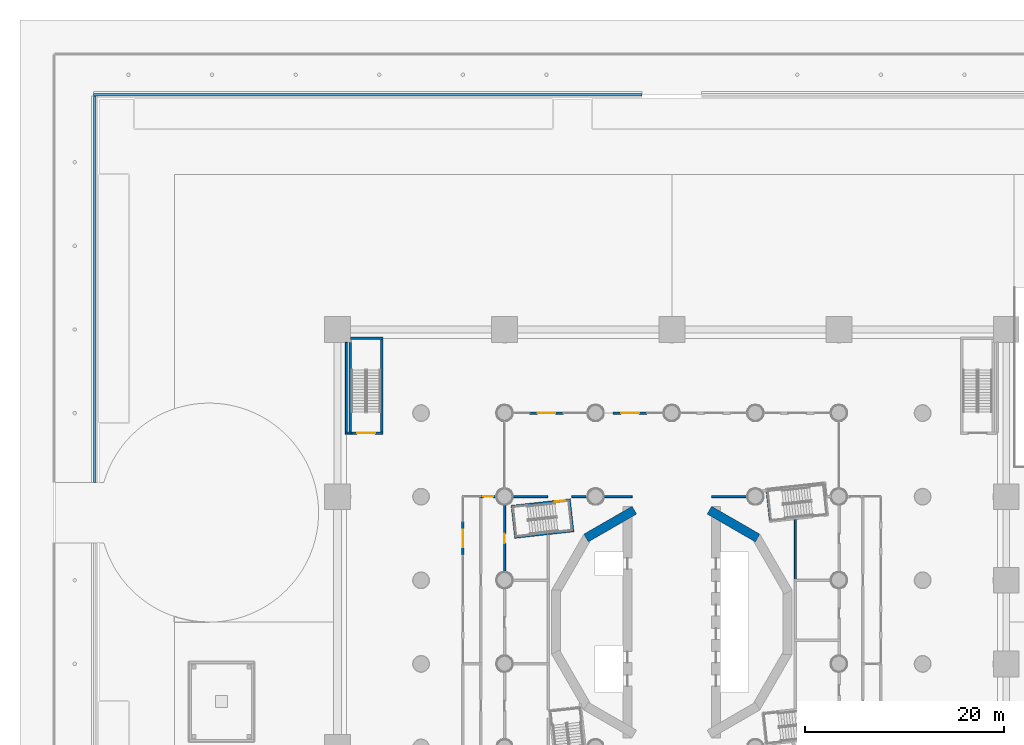
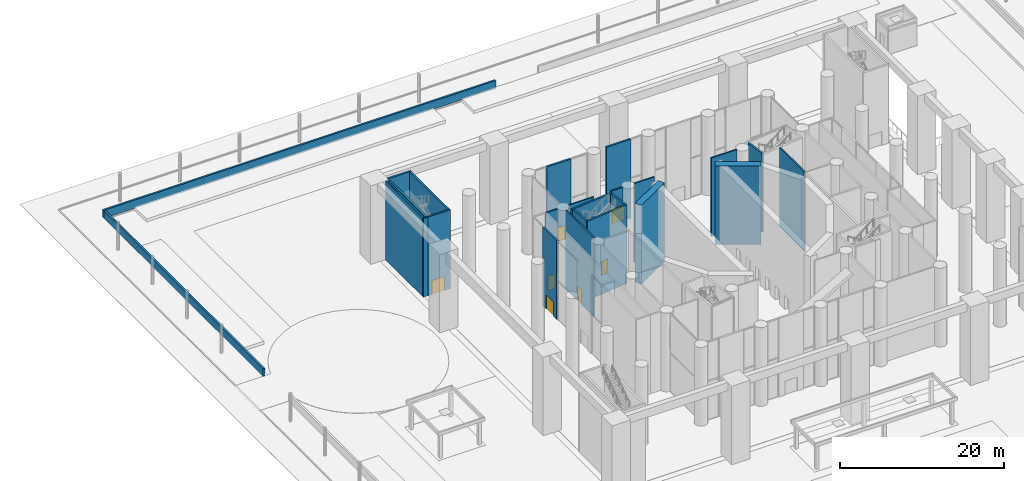
# One storey, part 16 of 52: 25 walls, 7 doors, 7 openings.
"""IFC4 building model written with IfcOpenShell, lengths in metres."""

from ifc_helpers import new_model, si_unit, direction, frame, frame_2d, origin, place, context, subcontext, project, spatial, rectangle, extrude, material, layer, layer_set, type_object, element, fill, save


model = new_model("IFC4")

# Units and contexts
model_context = context("Model", 3, precision=1e-05, world=origin(), true_north=direction((0.0, 1.0)))
body_context = subcontext(model_context, "Body", "Model", "MODEL_VIEW")
ifc_project = project(units=[si_unit("LENGTHUNIT", "METRE"), si_unit("AREAUNIT", "SQUARE_METRE"), si_unit("VOLUMEUNIT", "CUBIC_METRE"), si_unit("PLANEANGLEUNIT", "RADIAN"), si_unit("MASSUNIT", "GRAM", prefix="KILO")], contexts=[model_context])

# Site, building, storey
site_placement = place(None, origin())
site = spatial("IfcSite", under=ifc_project, at=site_placement, CompositionType="ELEMENT")
building_placement = place(site_placement, origin())
building = spatial("IfcBuilding", under=site, at=building_placement, Name="Cantera Rosa Tower", CompositionType="ELEMENT")
storey_placement = place(building_placement, origin())
storey = spatial("IfcBuildingStorey", under=building, at=storey_placement, Name="L00", CompositionType="ELEMENT", Elevation=0.0)

# Wall, opening, door
ifc_material_1 = material(Name="Masonry blockwork", Category="masonry")
ifc_layer_1 = layer(ifc_material_1, 0.199951171875)
ifc_layer_set_1 = layer_set([ifc_layer_1], Name="Blockwork partition 200")
wall_type_1 = type_object("IfcWallType", Name="Blockwork partition 200", PredefinedType="PARTITIONING", material=ifc_layer_set_1)
wall_1_placement = place(storey_placement, frame((-19.300048828125, 12.60009765625, 0.0), z_axis=(0.0, 0.0, 1.0), x_axis=(1.0, 0.0, 0.0)))
wall_1 = element("IfcWall", 1, at=wall_1_placement, inside=storey, type_object=wall_type_1, Name="Partition L00-14", PredefinedType="PARTITIONING", context=body_context, shape_type="SweptSolid", body=[
    extrude(rectangle(XDim=1.699951171875, YDim=0.199951171875, at=frame_2d((0.85009765625, 0.0))), origin(), (0.0, 0.0, 1.0), 11.699951171875),
])
opening_1_placement = place(wall_1_placement, frame((0.35009765625, 0.0, 0.0)))
opening_1 = element("IfcOpeningElement", 2, at=opening_1_placement, cuts=wall_1, Name="Opening L00-014", PredefinedType="OPENING", context=body_context, shape_type="SweptSolid", body=[
    extrude(rectangle(XDim=1.0, YDim=2.10009765625, at=frame_2d((0.5, 1.050048828125))), frame((0.0, 0.10986328125, 0.0), z_axis=(0.0, -1.0, 0.0), x_axis=(1.0, 0.0, 0.0)), (0.0, 0.0, 1.0), 0.219970703125),
])
ifc_material_2 = material(Name="Timber", Category="wood")
door_type_1 = type_object("IfcDoorType", Name="Door 1000x2100", OperationType="NOTDEFINED", PredefinedType="DOOR", material=ifc_material_2)
door_1_placement = place(opening_1_placement, origin())
door_1 = element("IfcDoor", 3, at=door_1_placement, inside=storey, type_object=door_type_1, Name="Door L00-014", OverallHeight=2.10009765625, OverallWidth=1.0, PredefinedType="DOOR", context=body_context, shape_type="SweptSolid", body=[
    extrude(rectangle(XDim=1.0, YDim=2.10009765625, at=frame_2d((0.5, 1.050048828125))), frame((0.0, 0.02490234375, 0.0), z_axis=(0.0, -1.0, 0.0), x_axis=(1.0, 0.0, 0.0)), (0.0, 0.0, 1.0), 0.050048828125),
])
fill(opening_1, door_1)

# Walls
wall_2_placement = place(storey_placement, frame((-16.0, 12.60009765625, 0.0), z_axis=(0.0, 0.0, 1.0), x_axis=(1.0, 0.0, 0.0)))
element("IfcWall", 4, at=wall_2_placement, inside=storey, type_object=wall_type_1, Name="Partition L00-15", PredefinedType="PARTITIONING", context=body_context, shape_type="SweptSolid", body=[
    extrude(rectangle(XDim=3.510498046875, YDim=0.199951171875, at=frame_2d((1.75537109375, 0.0))), origin(), (0.0, 0.0, 1.0), 11.699951171875),
])
wall_3_placement = place(storey_placement, frame((-10.07470703125, 12.60009765625, 0.0), z_axis=(0.0, 0.0, 1.0), x_axis=(1.0, 0.0, 0.0)))
element("IfcWall", 5, at=wall_3_placement, inside=storey, type_object=wall_type_1, Name="Partition L00-16", PredefinedType="PARTITIONING", context=body_context, shape_type="SweptSolid", body=[
    extrude(rectangle(XDim=1.624755859375, YDim=0.199951171875, at=frame_2d((0.8125, 0.0))), origin(), (0.0, 0.0, 1.0), 11.699951171875),
])
wall_4_placement = place(storey_placement, frame((-6.85009765625, 12.60009765625, 0.0), z_axis=(0.0, 0.0, 1.0), x_axis=(1.0, 0.0, 0.0)))
element("IfcWall", 6, at=wall_4_placement, inside=storey, type_object=wall_type_1, Name="Partition L00-17", PredefinedType="PARTITIONING", context=body_context, shape_type="SweptSolid", body=[
    extrude(rectangle(XDim=2.85009765625, YDim=0.199951171875, at=frame_2d((1.425048828125, 0.0))), origin(), (0.0, 0.0, 1.0), 11.699951171875),
])
wall_5_placement = place(storey_placement, frame((4.0, 12.60009765625, 0.0), z_axis=(0.0, 0.0, 1.0), x_axis=(1.0, 0.0, 0.0)))
element("IfcWall", 7, at=wall_5_placement, inside=storey, type_object=wall_type_1, Name="Partition L00-18", PredefinedType="PARTITIONING", context=body_context, shape_type="SweptSolid", body=[
    extrude(rectangle(XDim=3.60009765625, YDim=0.199951171875, at=frame_2d((1.800048828125, 0.0))), origin(), (0.0, 0.0, 1.0), 11.699951171875),
])
wall_6_placement = place(storey_placement, frame((12.39990234375, 4.300048828125, 0.0), z_axis=(0.0, 0.0, 1.0), x_axis=(0.0, 1.0, 0.0)))
element("IfcWall", 8, at=wall_6_placement, inside=storey, type_object=wall_type_1, Name="Partition L00-24", PredefinedType="PARTITIONING", context=body_context, shape_type="SweptSolid", body=[
    extrude(rectangle(XDim=5.992431640625, YDim=0.199951171875, at=frame_2d((2.99609375, 0.0))), origin(), (0.0, 0.0, 1.0), 11.699951171875),
])

# Wall, opening, door
wall_7_placement = place(storey_placement, frame((-16.800048828125, 5.0, 0.0), z_axis=(0.0, 0.0, 1.0), x_axis=(0.0, 1.0, 0.0)))
wall_7 = element("IfcWall", 9, at=wall_7_placement, inside=storey, type_object=wall_type_1, Name="Partition L00-27", PredefinedType="PARTITIONING", context=body_context, shape_type="SweptSolid", body=[
    extrude(rectangle(XDim=6.800048828125, YDim=0.199951171875, at=frame_2d((3.39990234375, 0.0))), origin(), (0.0, 0.0, 1.0), 11.699951171875),
])
opening_2_placement = place(wall_7_placement, frame((2.89990234375, 0.0, 0.0)))
opening_2 = element("IfcOpeningElement", 10, at=opening_2_placement, cuts=wall_7, Name="Opening L00-008", PredefinedType="OPENING", context=body_context, shape_type="SweptSolid", body=[
    extrude(rectangle(XDim=1.0, YDim=2.10009765625, at=frame_2d((0.5, 1.050048828125))), frame((0.0, 0.10986328125, 0.0), z_axis=(0.0, -1.0, 0.0), x_axis=(1.0, 0.0, 0.0)), (0.0, 0.0, 1.0), 0.219970703125),
])
door_2_placement = place(opening_2_placement, origin())
door_2 = element("IfcDoor", 11, at=door_2_placement, inside=storey, type_object=door_type_1, Name="Door L00-008", OverallHeight=2.10009765625, OverallWidth=1.0, PredefinedType="DOOR", context=body_context, shape_type="SweptSolid", body=[
    extrude(rectangle(XDim=1.0, YDim=2.10009765625, at=frame_2d((0.5, 1.050048828125))), frame((0.0, 0.02490234375, 0.0), z_axis=(0.0, -1.0, 0.0), x_axis=(1.0, 0.0, 0.0)), (0.0, 0.0, 1.0), 0.050048828125),
])
fill(opening_2, door_2)

# Walls
wall_8_placement = place(storey_placement, frame((-32.800048828125, 19.0, 0.0), z_axis=(0.0, 0.0, 1.0), x_axis=(1.0, 0.0, 0.0)))
element("IfcWall", 12, at=wall_8_placement, inside=storey, type_object=wall_type_1, Name="Partition L00-56", PredefinedType="PARTITIONING", context=body_context, shape_type="SweptSolid", body=[
    extrude(rectangle(XDim=0.625, YDim=0.199951171875, at=frame_2d((0.3125, 0.0))), origin(), (0.0, 0.0, 1.0), 11.699951171875),
])
wall_9_placement = place(storey_placement, frame((-32.699951171875, 19.10009765625, 0.0), z_axis=(0.0, 0.0, 1.0), x_axis=(0.0, 1.0, 0.0)))
element("IfcWall", 13, at=wall_9_placement, inside=storey, type_object=wall_type_1, Name="Partition L00-67", PredefinedType="PARTITIONING", context=body_context, shape_type="SweptSolid", body=[
    extrude(rectangle(XDim=9.0, YDim=0.199951171875, at=frame_2d((4.5, 0.0))), origin(), (0.0, 0.0, 1.0), 11.699951171875),
])
ifc_material_3 = material(Name="Concrete C70/85", Category="concrete")
ifc_layer_2 = layer(ifc_material_3, 0.89990234375)
ifc_layer_set_2 = layer_set([ifc_layer_2], Name="Drum wall 900")
wall_type_2 = type_object("IfcWallType", Name="Drum wall 900", PredefinedType="SHEAR", material=ifc_layer_set_2)
for number, where, z_axis, x_axis, name in (
    (14, (-8.61376953125, 8.44921875, 0.0), (0.0, 0.0, 1.0), (0.866026961591, 0.49999730179, 0.0), "Drum wall west 5 L00"),
    (15, (3.77490234375, 11.242919921875, 0.0), (0.0, 0.0, 1.0), (0.866026961591, -0.49999730179, 0.0), "Drum wall east 1 L00"),
):
    element("IfcWall", number, at=place(storey_placement, frame(where, z_axis=z_axis, x_axis=x_axis)), inside=storey, type_object=wall_type_2, Name=name, PredefinedType="SHEAR", context=body_context, shape_type="SweptSolid", body=[
        extrude(rectangle(XDim=5.58740234375, YDim=0.89990234375, at=frame_2d((2.793701171875, 0.0))), origin(), (0.0, 0.0, 1.0), 11.699951171875),
    ])

# Wall, opening, door
ifc_material_4 = material(Name="Masonry blockwork", Category="masonry")
ifc_layer_3 = layer(ifc_material_4, 0.25)
ifc_layer_set_3 = layer_set([ifc_layer_3], Name="Entrance wall 250")
wall_type_3 = type_object("IfcWallType", Name="Entrance wall 250", PredefinedType="PARTITIONING", material=ifc_layer_set_3)
wall_10_placement = place(storey_placement, frame((-5.89990234375, 21.0, 0.0), z_axis=(0.0, 0.0, 1.0), x_axis=(1.0, 0.0, 0.0)))
wall_10 = element("IfcWall", 16, at=wall_10_placement, inside=storey, type_object=wall_type_3, Name="Entrance wall L00-3", PredefinedType="PARTITIONING", context=body_context, shape_type="SweptSolid", body=[
    extrude(rectangle(XDim=3.39990234375, YDim=0.25, at=frame_2d((1.699951171875, 0.0))), origin(), (0.0, 0.0, 1.0), 11.699951171875),
])
opening_3_placement = place(wall_10_placement, frame((0.800048828125, 0.0, 0.0)))
opening_3 = element("IfcOpeningElement", 17, at=opening_3_placement, cuts=wall_10, Name="Opening L00-E03", PredefinedType="OPENING", context=body_context, shape_type="SweptSolid", body=[
    extrude(rectangle(XDim=1.800048828125, YDim=2.10009765625, at=frame_2d((0.89990234375, 1.050048828125))), frame((0.0, 0.135009765625, 0.0), z_axis=(0.0, -1.0, 0.0), x_axis=(1.0, 0.0, 0.0)), (0.0, 0.0, 1.0), 0.27001953125),
])
ifc_material_5 = material(Name="Glass", Category="glass")
door_type_2 = type_object("IfcDoorType", Name="Glazed entrance door 1800x2100", OperationType="NOTDEFINED", PredefinedType="DOOR", material=ifc_material_5)
door_3_placement = place(opening_3_placement, origin())
door_3 = element("IfcDoor", 18, at=door_3_placement, inside=storey, type_object=door_type_2, Name="Entrance door L00-E03", OperationType="DOUBLE_DOOR_SINGLE_SWING", OverallHeight=2.10009765625, OverallWidth=1.800048828125, PredefinedType="DOOR", context=body_context, shape_type="SweptSolid", body=[
    extrude(rectangle(XDim=1.800048828125, YDim=2.10009765625, at=frame_2d((0.89990234375, 1.050048828125))), frame((0.0, 0.02490234375, 0.0), z_axis=(0.0, -1.0, 0.0), x_axis=(1.0, 0.0, 0.0)), (0.0, 0.0, 1.0), 0.050048828125),
])
fill(opening_3, door_3)

wall_11_placement = place(storey_placement, frame((-21.0, 10.10009765625, 0.0), z_axis=(0.0, 0.0, 1.0), x_axis=(0.0, -1.0, 0.0)))
wall_11 = element("IfcWall", 19, at=wall_11_placement, inside=storey, type_object=wall_type_3, Name="Entrance wall L00-6", PredefinedType="PARTITIONING", context=body_context, shape_type="SweptSolid", body=[
    extrude(rectangle(XDim=3.400146484375, YDim=0.25, at=frame_2d((1.7001953125, 0.0))), origin(), (0.0, 0.0, 1.0), 11.699951171875),
])
opening_4_placement = place(wall_11_placement, frame((0.800048828125, 0.0, 0.0)))
opening_4 = element("IfcOpeningElement", 20, at=opening_4_placement, cuts=wall_11, Name="Opening L00-E06", PredefinedType="OPENING", context=body_context, shape_type="SweptSolid", body=[
    extrude(rectangle(XDim=1.800048828125, YDim=2.10009765625, at=frame_2d((0.89990234375, 1.050048828125))), frame((0.0, 0.135009765625, 0.0), z_axis=(0.0, -1.0, 0.0), x_axis=(1.0, 0.0, 0.0)), (0.0, 0.0, 1.0), 0.27001953125),
])
door_4_placement = place(opening_4_placement, origin())
door_4 = element("IfcDoor", 21, at=door_4_placement, inside=storey, type_object=door_type_2, Name="Entrance door L00-E06", OperationType="DOUBLE_DOOR_SINGLE_SWING", OverallHeight=2.10009765625, OverallWidth=1.800048828125, PredefinedType="DOOR", context=body_context, shape_type="SweptSolid", body=[
    extrude(rectangle(XDim=1.800048828125, YDim=2.10009765625, at=frame_2d((0.89990234375, 1.050048828125))), frame((0.0, 0.02490234375, 0.0), z_axis=(0.0, -1.0, 0.0), x_axis=(1.0, 0.0, 0.0)), (0.0, 0.0, 1.0), 0.050048828125),
])
fill(opening_4, door_4)

wall_12_placement = place(storey_placement, frame((-14.300048828125, 21.0, 0.0), z_axis=(0.0, 0.0, 1.0), x_axis=(1.0, 0.0, 0.0)))
wall_12 = element("IfcWall", 22, at=wall_12_placement, inside=storey, type_object=wall_type_3, Name="Entrance wall L00-8", PredefinedType="PARTITIONING", context=body_context, shape_type="SweptSolid", body=[
    extrude(rectangle(XDim=3.39990234375, YDim=0.25, at=frame_2d((1.699951171875, 0.0))), origin(), (0.0, 0.0, 1.0), 11.699951171875),
])
opening_5_placement = place(wall_12_placement, frame((0.800048828125, 0.0, 0.0)))
opening_5 = element("IfcOpeningElement", 23, at=opening_5_placement, cuts=wall_12, Name="Opening L00-E08", PredefinedType="OPENING", context=body_context, shape_type="SweptSolid", body=[
    extrude(rectangle(XDim=1.800048828125, YDim=2.10009765625, at=frame_2d((0.89990234375, 1.050048828125))), frame((0.0, 0.135009765625, 0.0), z_axis=(0.0, -1.0, 0.0), x_axis=(1.0, 0.0, 0.0)), (0.0, 0.0, 1.0), 0.27001953125),
])
door_5_placement = place(opening_5_placement, origin())
door_5 = element("IfcDoor", 24, at=door_5_placement, inside=storey, type_object=door_type_2, Name="Entrance door L00-E08", OperationType="DOUBLE_DOOR_SINGLE_SWING", OverallHeight=2.10009765625, OverallWidth=1.800048828125, PredefinedType="DOOR", context=body_context, shape_type="SweptSolid", body=[
    extrude(rectangle(XDim=1.800048828125, YDim=2.10009765625, at=frame_2d((0.89990234375, 1.050048828125))), frame((0.0, 0.02490234375, 0.0), z_axis=(0.0, -1.0, 0.0), x_axis=(1.0, 0.0, 0.0)), (0.0, 0.0, 1.0), 0.050048828125),
])
fill(opening_5, door_5)

# Walls
ifc_material_6 = material(Name="Concrete C50/60", Category="concrete")
ifc_layer_4 = layer(ifc_material_6, 0.25)
ifc_layer_set_4 = layer_set([ifc_layer_4], Name="External stair wall 250")
wall_type_4 = type_object("IfcWallType", Name="External stair wall 250", PredefinedType="SOLIDWALL", material=ifc_layer_set_4)
wall_13_placement = place(storey_placement, frame((-32.300048828125, 28.5, 0.0), z_axis=(0.0, 0.0, 1.0), x_axis=(1.0, 0.0, 0.0)))
element("IfcWall", 25, at=wall_13_placement, inside=storey, type_object=wall_type_4, Name="Stair wall L00-52", PredefinedType="SOLIDWALL", context=body_context, shape_type="SweptSolid", body=[
    extrude(rectangle(XDim=3.275146484375, YDim=0.25, at=frame_2d((1.6376953125, 0.0))), origin(), (0.0, 0.0, 1.0), 11.699951171875),
])
ifc_material_7 = material(Name="Concrete C40/50", Category="concrete")
ifc_layer_5 = layer(ifc_material_7, 0.25)
ifc_layer_set_5 = layer_set([ifc_layer_5], Name="Plot boundary wall 250")
wall_type_5 = type_object("IfcWallType", Name="Plot boundary wall 250", PredefinedType="NOTDEFINED", material=ifc_layer_set_5)
wall_14_placement = place(storey_placement, frame((-58.125, 53.0, 0.0), z_axis=(0.0, 0.0, 1.0), x_axis=(1.0, 0.0, 0.0)))
element("IfcWall", 26, at=wall_14_placement, inside=storey, type_object=wall_type_5, Name="Plot boundary wall N1", PredefinedType="NOTDEFINED", context=body_context, shape_type="SweptSolid", body=[
    extrude(rectangle(XDim=55.125, YDim=0.25, at=frame_2d((27.5625, 0.0))), origin(), (0.0, 0.0, 1.0), 1.199951171875),
])
wall_15_placement = place(storey_placement, frame((-58.0, 14.050048828125, 0.0), z_axis=(0.0, 0.0, 1.0), x_axis=(0.0, 1.0, 0.0)))
element("IfcWall", 27, at=wall_15_placement, inside=storey, type_object=wall_type_5, Name="Plot boundary wall W2", PredefinedType="NOTDEFINED", context=body_context, shape_type="SweptSolid", body=[
    extrude(rectangle(XDim=38.824951171875, YDim=0.25, at=frame_2d((19.41259765625, 0.0))), origin(), (0.0, 0.0, 1.0), 1.199951171875),
])

# Wall, opening, door
ifc_material_8 = material(Name="Concrete C50/60", Category="concrete")
ifc_layer_6 = layer(ifc_material_8, 0.25)
ifc_layer_set_6 = layer_set([ifc_layer_6], Name="RC stair wall 250 C50/60")
wall_type_6 = type_object("IfcWallType", Name="RC stair wall 250", PredefinedType="SOLIDWALL", material=ifc_layer_set_6)
wall_16_placement = place(storey_placement, frame((-29.02490234375, 19.0, 0.0), z_axis=(0.0, 0.0, 1.0), x_axis=(-1.0, 0.0, 0.0)))
wall_16 = element("IfcWall", 28, at=wall_16_placement, inside=storey, type_object=wall_type_6, Name="Stair wall L00-57", PredefinedType="SOLIDWALL", context=body_context, shape_type="SweptSolid", body=[
    extrude(rectangle(XDim=3.150146484375, YDim=0.25, at=frame_2d((1.5751953125, 0.0))), origin(), (0.0, 0.0, 1.0), 11.699951171875),
])
opening_6_placement = place(wall_16_placement, frame((0.800048828125, 0.0, 0.0)))
opening_6 = element("IfcOpeningElement", 29, at=opening_6_placement, cuts=wall_16, Name="Opening L00-016", PredefinedType="OPENING", context=body_context, shape_type="SweptSolid", body=[
    extrude(rectangle(XDim=1.800048828125, YDim=2.10009765625, at=frame_2d((0.89990234375, 1.050048828125))), frame((0.0, 0.135009765625, 0.0), z_axis=(0.0, -1.0, 0.0), x_axis=(1.0, 0.0, 0.0)), (0.0, 0.0, 1.0), 0.27001953125),
])
ifc_material_9 = material(Name="Steel S355J2 (EN 10025-2)", Category="steel")
door_type_3 = type_object("IfcDoorType", Name="Fire double door 1800x2100 EI 120", OperationType="NOTDEFINED", PredefinedType="DOOR", material=ifc_material_9)
door_6_placement = place(opening_6_placement, origin())
door_6 = element("IfcDoor", 30, at=door_6_placement, inside=storey, type_object=door_type_3, Name="Door L00-016", OperationType="DOUBLE_DOOR_SINGLE_SWING", OverallHeight=2.10009765625, OverallWidth=1.800048828125, PredefinedType="DOOR", context=body_context, shape_type="SweptSolid", body=[
    extrude(rectangle(XDim=1.800048828125, YDim=2.10009765625, at=frame_2d((0.89990234375, 1.050048828125))), frame((0.0, 0.02490234375, 0.0), z_axis=(0.0, -1.0, 0.0), x_axis=(1.0, 0.0, 0.0)), (0.0, 0.0, 1.0), 0.050048828125),
])
fill(opening_6, door_6)

# Walls
wall_17_placement = place(storey_placement, frame((-29.14990234375, 28.375, 0.0), z_axis=(0.0, 0.0, 1.0), x_axis=(0.0, -1.0, 0.0)))
element("IfcWall", 31, at=wall_17_placement, inside=storey, type_object=wall_type_6, Name="Stair wall L00-63", PredefinedType="SOLIDWALL", context=body_context, shape_type="SweptSolid", body=[
    extrude(rectangle(XDim=9.25, YDim=0.25, at=frame_2d((4.625, 0.0))), origin(), (0.0, 0.0, 1.0), 11.699951171875),
])
wall_18_placement = place(storey_placement, frame((-32.300048828125, 19.10009765625, 0.0), z_axis=(0.0, 0.0, 1.0), x_axis=(0.0, 1.0, 0.0)))
element("IfcWall", 32, at=wall_18_placement, inside=storey, type_object=wall_type_6, Name="Stair wall L00-65", PredefinedType="SOLIDWALL", context=body_context, shape_type="SweptSolid", body=[
    extrude(rectangle(XDim=9.0, YDim=0.25, at=frame_2d((4.5, 0.0))), origin(), (0.0, 0.0, 1.0), 11.699951171875),
])
wall_19_placement = place(storey_placement, frame((9.899658203125, 10.2666015625, 0.0), z_axis=(0.0, 0.0, 1.0), x_axis=(-0.110252878147, 0.99390356819, 0.0)))
element("IfcWall", 33, at=wall_19_placement, inside=storey, type_object=wall_type_6, Name="Stair wall ST-11 L00-3", PredefinedType="SOLIDWALL", context=body_context, shape_type="SweptSolid", body=[
    extrude(rectangle(XDim=2.849853515625, YDim=0.25, at=frame_2d((1.4248046875, 0.0))), origin(), (0.0, 0.0, 1.0), 11.699951171875),
])
wall_20_placement = place(storey_placement, frame((-10.2998046875, 12.133544921875, 0.0), z_axis=(0.0, 0.0, 1.0), x_axis=(0.110328108544, -0.993895220063, 0.0)))
element("IfcWall", 34, at=wall_20_placement, inside=storey, type_object=wall_type_6, Name="Stair wall ST-12 L00-1", PredefinedType="SOLIDWALL", context=body_context, shape_type="SweptSolid", body=[
    extrude(rectangle(XDim=2.85009765625, YDim=0.25, at=frame_2d((1.425048828125, 0.0))), origin(), (0.0, 0.0, 1.0), 11.699951171875),
])
wall_21_placement = place(storey_placement, frame((-9.847412109375, 9.1904296875, 0.0), z_axis=(0.0, 0.0, 1.0), x_axis=(-0.993897125329, -0.110310943534, 0.0)))
element("IfcWall", 35, at=wall_21_placement, inside=storey, type_object=wall_type_6, Name="Stair wall ST-12 L00-2", PredefinedType="SOLIDWALL", context=body_context, shape_type="SweptSolid", body=[
    extrude(rectangle(XDim=6.0, YDim=0.25, at=frame_2d((3.0, 0.0))), origin(), (0.0, 0.0, 1.0), 11.699951171875),
])
wall_22_placement = place(storey_placement, frame((-15.7001953125, 8.66650390625, 0.0), z_axis=(0.0, 0.0, 1.0), x_axis=(-0.110328108544, 0.993895220063, 0.0)))
element("IfcWall", 36, at=wall_22_placement, inside=storey, type_object=wall_type_6, Name="Stair wall ST-12 L00-3", PredefinedType="SOLIDWALL", context=body_context, shape_type="SweptSolid", body=[
    extrude(rectangle(XDim=2.85009765625, YDim=0.25, at=frame_2d((1.425048828125, 0.0))), origin(), (0.0, 0.0, 1.0), 11.699951171875),
])

# Wall, opening, door
wall_23_placement = place(storey_placement, frame((-16.152587890625, 11.609619140625, 0.0), z_axis=(0.0, 0.0, 1.0), x_axis=(0.993897125329, 0.110310943534, 0.0)))
wall_23 = element("IfcWall", 37, at=wall_23_placement, inside=storey, type_object=wall_type_6, Name="Stair wall ST-12 L00-4", PredefinedType="SOLIDWALL", context=body_context, shape_type="SweptSolid", body=[
    extrude(rectangle(XDim=6.0, YDim=0.25, at=frame_2d((3.0, 0.0))), origin(), (0.0, 0.0, 1.0), 11.699951171875),
])
opening_7_placement = place(wall_23_placement, frame((4.449951171875, 0.0, 0.0)))
opening_7 = element("IfcOpeningElement", 38, at=opening_7_placement, cuts=wall_23, Name="Opening L00-ST-12", PredefinedType="OPENING", context=body_context, shape_type="SweptSolid", body=[
    extrude(rectangle(XDim=1.0, YDim=2.10009765625, at=frame_2d((0.5, 1.050048828125))), frame((0.0, 0.135009765625, 0.0), z_axis=(0.0, -1.0, 0.0), x_axis=(1.0, 0.0, 0.0)), (0.0, 0.0, 1.0), 0.27001953125),
])
ifc_material_10 = material(Name="Steel S355J2 (EN 10025-2)", Category="steel")
door_type_4 = type_object("IfcDoorType", Name="Fire door 1000x2100 EI 120", OperationType="NOTDEFINED", PredefinedType="DOOR", material=ifc_material_10)
door_7_placement = place(opening_7_placement, origin())
door_7 = element("IfcDoor", 39, at=door_7_placement, inside=storey, type_object=door_type_4, Name="Door L00-ST-12", OverallHeight=2.10009765625, OverallWidth=1.0, PredefinedType="DOOR", context=body_context, shape_type="SweptSolid", body=[
    extrude(rectangle(XDim=1.0, YDim=2.10009765625, at=frame_2d((0.5, 1.050048828125))), frame((0.0, 0.02490234375, 0.0), z_axis=(0.0, -1.0, 0.0), x_axis=(1.0, 0.0, 0.0)), (0.0, 0.0, 1.0), 0.050048828125),
])
fill(opening_7, door_7)

save(model, "model.ifc")
